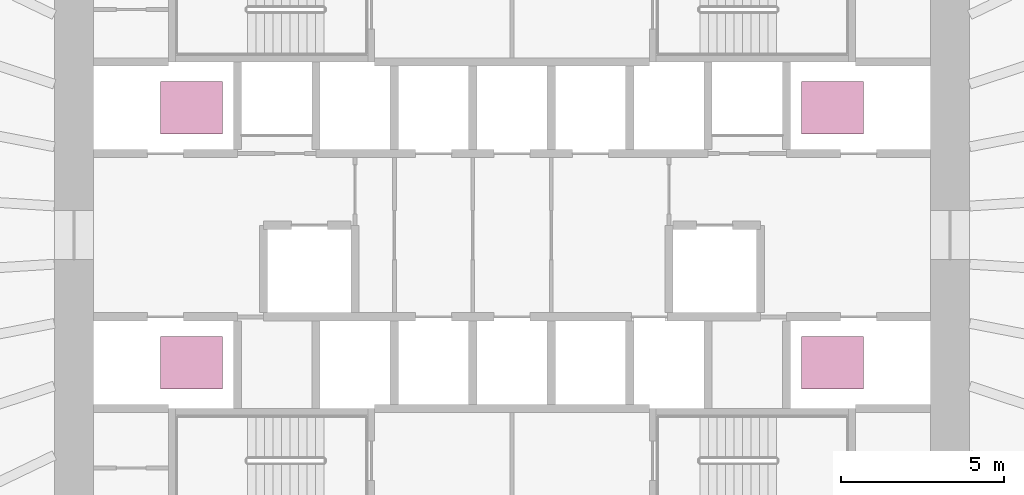
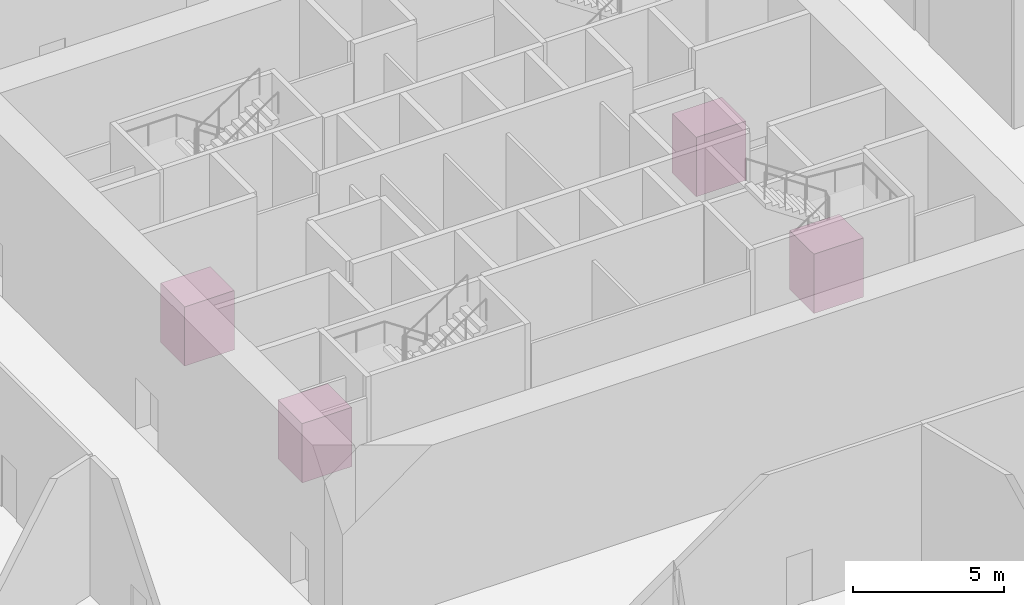
# One storey, part 17 of 17: 4 transport elements.
"""IFC4 building model written with IfcOpenShell, lengths in metres."""

from ifc_helpers import new_model, si_unit, direction, frame, origin, origin_2d, place, context, subcontext, project, spatial, rectangle, extrude, source, transform, mapped, material, type_object, element, save


model = new_model("IFC4")

# Units and contexts
model_context = context("Model", 3, precision=1e-05, world=origin(), true_north=direction((0.0, 1.0)))
body_context = subcontext(model_context, "Body", "Model", "MODEL_VIEW")
ifc_project = project(units=[si_unit("LENGTHUNIT", "METRE"), si_unit("AREAUNIT", "SQUARE_METRE"), si_unit("VOLUMEUNIT", "CUBIC_METRE"), si_unit("PLANEANGLEUNIT", "RADIAN"), si_unit("MASSUNIT", "GRAM", prefix="KILO")], contexts=[model_context])

# Site, building, storey
site_placement = place(None, origin())
site = spatial("IfcSite", under=ifc_project, at=site_placement, CompositionType="ELEMENT")
building_placement = place(site_placement, origin())
building = spatial("IfcBuilding", under=site, at=building_placement, Name="Embergate Tower", CompositionType="ELEMENT")
storey_placement = place(building_placement, frame((0.0, 0.0, 125.0)))
storey = spatial("IfcBuildingStorey", under=building, at=storey_placement, Name="L27", CompositionType="ELEMENT", Elevation=125.0)

# Transport elements
ifc_material = material(Name="Passenger lift Mid")
transport_element_type = type_object("IfcTransportElementType", Name="Passenger lift Mid", PredefinedType="ELEVATOR", material=ifc_material)
shared_shape = source(origin(), body_context, "Body", "SweptSolid", [
    extrude(rectangle(XDim=1.89990234375, YDim=1.60009765625, at=origin_2d()), origin(), (0.0, 0.0, 1.0), 2.39990234375),
])
for number, where, z_axis, x_axis, name in (
    (1, (-9.800048828125, 3.89990234375, 0.0), (0.0, 0.0, 1.0), (1.0, 0.0, 0.0), "Mid lift N-4"),
    (2, (9.800048828125, 3.89990234375, 0.0), (0.0, 0.0, 1.0), (1.0, 0.0, 0.0), "Mid lift N+4"),
    (3, (-9.800048828125, -3.89990234375, 0.0), (0.0, 0.0, 1.0), (1.0, 0.0, 0.0), "Mid lift S-4"),
    (4, (9.800048828125, -3.89990234375, 0.0), (0.0, 0.0, 1.0), (1.0, 0.0, 0.0), "Mid lift S+4"),
):
    element("IfcTransportElement", number, at=place(storey_placement, frame(where, z_axis=z_axis, x_axis=x_axis)), inside=storey, type_object=transport_element_type, Name=name, PredefinedType="ELEVATOR", context=body_context, shape_type="MappedRepresentation", body=[
        mapped(shared_shape, transform((0.0, 0.0, 0.0))),
    ])

save(model, "model.ifc")
